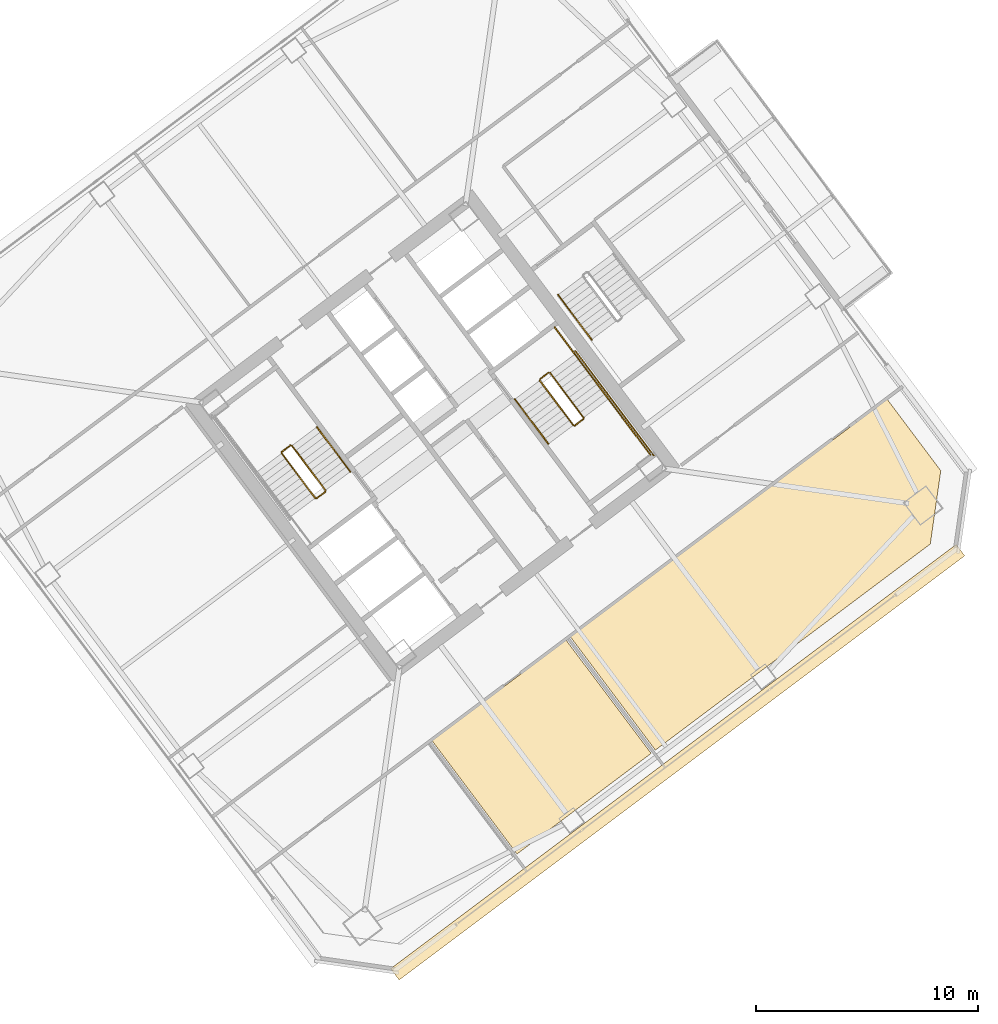
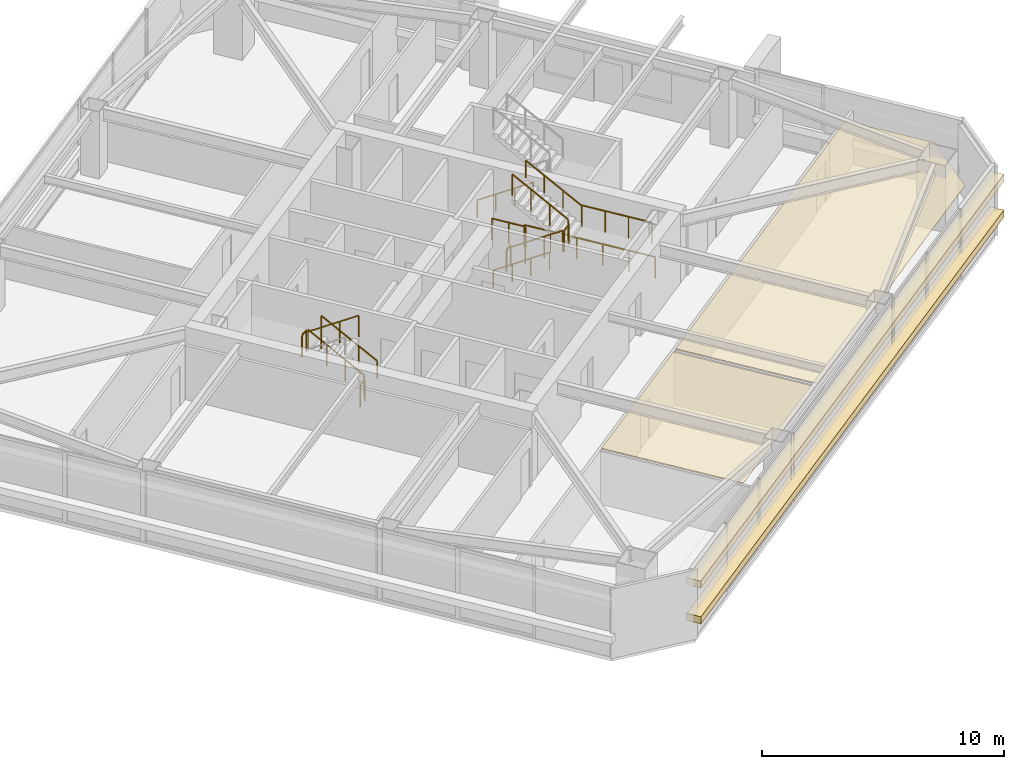
# One storey, part 42 of 44: 15 railings, 4 coverings.
"""IFC4 building model written with IfcOpenShell, lengths in metres."""

from ifc_helpers import new_model, si_unit, direction, frame, origin, origin_2d, place, context, subcontext, project, spatial, polyline, rectangle, outline, extrude, material, layer, layer_set, type_object, element, save


model = new_model("IFC4")

# Units and contexts
model_context = context("Model", 3, precision=1e-05, world=origin(), true_north=direction((0.0, 1.0)))
body_context = subcontext(model_context, "Body", "Model", "MODEL_VIEW")
ifc_project = project(units=[si_unit("LENGTHUNIT", "METRE"), si_unit("AREAUNIT", "SQUARE_METRE"), si_unit("VOLUMEUNIT", "CUBIC_METRE"), si_unit("PLANEANGLEUNIT", "RADIAN"), si_unit("MASSUNIT", "GRAM", prefix="KILO")], contexts=[model_context])

# Site, building, storey
site_placement = place(None, origin())
site = spatial("IfcSite", under=ifc_project, at=site_placement, CompositionType="ELEMENT")
building_placement = place(site_placement, origin())
building = spatial("IfcBuilding", under=site, at=building_placement, Name="Tashvorn Skyway Center", CompositionType="ELEMENT")
storey_placement = place(building_placement, frame((0.0, 0.0, 149.89990234375)))
storey = spatial("IfcBuildingStorey", under=building, at=storey_placement, Name="L40", CompositionType="ELEMENT", Elevation=149.89990234375)

# Coverings
ifc_material_1 = material(Name="Mineral-fibre acoustic ceiling tile on suspended grid")
ifc_layer_1 = layer(ifc_material_1, 0.02001953125)
ifc_layer_set_1 = layer_set([ifc_layer_1], Name="Mineral-fibre acoustic ceiling tile on suspended grid")
covering_type_1 = type_object("IfcCoveringType", Name="COV-CEIL-20", PredefinedType="CEILING", material=ifc_layer_set_1)
covering_1_placement = place(storey_placement, frame((0.0, 0.0, 2.703125)))
element("IfcCovering", 1, at=covering_1_placement, inside=storey, type_object=covering_type_1, Name="Tower 2 L40 Corporate Office Acoustic Ceiling", PredefinedType="CEILING", context=body_context, shape_type="SweptSolid", body=[
    extrude(outline(polyline([(113.969970703125, 18.239990234375), (120.01806640625, 22.77587890625), (123.85205078125, 17.6640625), (117.803955078125, 13.1279296875), (113.969970703125, 18.239990234375)])), origin(), (0.0, 0.0, 1.0), 0.02001953125),
])
covering_2_placement = place(storey_placement, frame((0.0, 0.0, 2.703125)))
element("IfcCovering", 2, at=covering_2_placement, inside=storey, type_object=covering_type_1, Name="Tower 2 L40 Corporate Office Acoustic Ceiling", PredefinedType="CEILING", context=body_context, shape_type="SweptSolid", body=[
    extrude(outline(polyline([(124.0439453125, 17.80810546875), (120.2099609375, 22.919921875), (134.498046875, 33.635986328125), (136.916015625, 30.412109375), (136.444091796875, 27.10791015625), (124.0439453125, 17.80810546875)])), origin(), (0.0, 0.0, 1.0), 0.02001953125),
])
ifc_material_2 = material(Name="Perforated ceramic-coated bronze aluminium solar screen", Category="aluminium")
ifc_layer_2 = layer(ifc_material_2, 0.85009765625)
ifc_layer_set_2 = layer_set([ifc_layer_2], Name="Perforated ceramic-coated bronze aluminium solar screen")
covering_type_2 = type_object("IfcCoveringType", Name="COV-SOLAR-BAND", PredefinedType="CLADDING", material=ifc_layer_set_2)
for number, where, z_axis, x_axis, name in (
    (3, (125.052001953125, 17.263916015625, 0.919921875), (0.0, 0.0, 1.0), (-0.799999996291, -0.600000004945, 0.0), "L40 Perforated Ceramic-Metal Solar Screen Louvre Band South 1"),
    (4, (125.052001953125, 17.263916015625, 2.72021484375), (0.0, 0.0, 1.0), (-0.799999996291, -0.600000004945, 0.0), "L40 Perforated Ceramic-Metal Solar Screen Louvre Band South 2"),
):
    element("IfcCovering", number, at=place(storey_placement, frame(where, z_axis=z_axis, x_axis=x_axis)), inside=storey, type_object=covering_type_2, Name=name, PredefinedType="CLADDING", context=body_context, shape_type="SweptSolid", body=[
        extrude(rectangle(XDim=31.8798828125, YDim=0.639892578125, at=origin_2d()), origin(), (0.0, 0.0, 1.0), 0.360107421875),
    ])

# Railings
ifc_material_3 = material(Name="Brushed stainless steel 316", Category="steel")
railing_type_1 = type_object("IfcRailingType", Name="RAIL-HAND-920", PredefinedType="HANDRAIL", material=ifc_material_3)
railing_1_placement = place(storey_placement, frame((110.2880859375, 30.365966796875, 0.177490234375)))
element("IfcRailing", 5, at=railing_1_placement, inside=storey, type_object=railing_type_1, Name="L40 ST-T2-1 stair handrail 1", PredefinedType="HANDRAIL", context=body_context, shape_type="SweptSolid", body=[
    extrude(rectangle(XDim=0.048095703125, YDim=0.048095703125, at=origin_2d()), frame((0.0, 0.0, 0.8759765625), z_axis=(-0.506779409603, 0.675651334276, 0.53541563714), x_axis=(-0.799976749893, -0.600030998891, 0.0)), (0.0, 0.0, 1.0), 2.98388671875),
    extrude(rectangle(XDim=0.0419921875, YDim=0.0419921875, at=origin_2d()), origin(), (0.0, 0.0, 1.0), 0.851806640625),
    extrude(rectangle(XDim=0.0419921875, YDim=0.0419921875, at=origin_2d()), frame((-0.504150390625, 0.672119140625, 0.532470703125)), (0.0, 0.0, 1.0), 0.851806640625),
    extrude(rectangle(XDim=0.0419921875, YDim=0.0419921875, at=origin_2d()), frame((-1.008056640625, 1.343994140625, 1.065185546875)), (0.0, 0.0, 1.0), 0.851806640625),
    extrude(rectangle(XDim=0.0419921875, YDim=0.0419921875, at=origin_2d()), frame((-1.51220703125, 2.01611328125, 1.59765625)), (0.0, 0.0, 1.0), 0.851806640625),
])
railing_2_placement = place(storey_placement, frame((117.7119140625, 33.634033203125, 0.177490234375)))
element("IfcRailing", 6, at=railing_2_placement, inside=storey, type_object=railing_type_1, Name="L40 ST-T2-2 stair handrail 1", PredefinedType="HANDRAIL", context=body_context, shape_type="SweptSolid", body=[
    extrude(rectangle(XDim=0.048095703125, YDim=0.048095703125, at=origin_2d()), frame((0.0, 0.0, 0.8759765625), z_axis=(0.506779409603, -0.675651334276, 0.53541563714), x_axis=(0.799976749893, 0.600030998891, 0.0)), (0.0, 0.0, 1.0), 2.98388671875),
    extrude(rectangle(XDim=0.0419921875, YDim=0.0419921875, at=origin_2d()), origin(), (0.0, 0.0, 1.0), 0.851806640625),
    extrude(rectangle(XDim=0.0419921875, YDim=0.0419921875, at=origin_2d()), frame((0.504150390625, -0.672119140625, 0.532470703125)), (0.0, 0.0, 1.0), 0.851806640625),
    extrude(rectangle(XDim=0.0419921875, YDim=0.0419921875, at=origin_2d()), frame((1.008056640625, -1.343994140625, 1.065185546875)), (0.0, 0.0, 1.0), 0.851806640625),
    extrude(rectangle(XDim=0.0419921875, YDim=0.0419921875, at=origin_2d()), frame((1.51220703125, -2.01611328125, 1.59765625)), (0.0, 0.0, 1.0), 0.851806640625),
])
railing_3_placement = place(storey_placement, frame((121.927978515625, 33.64599609375, 1.95263671875)))
element("IfcRailing", 7, at=railing_3_placement, inside=storey, type_object=railing_type_1, Name="L40 ST-T2-2 stair handrail 2", PredefinedType="HANDRAIL", context=body_context, shape_type="SweptSolid", body=[
    extrude(rectangle(XDim=0.048095703125, YDim=0.048095703125, at=origin_2d()), frame((0.0, 0.0, 0.8759765625), z_axis=(-0.506740800098, 0.675708949977, 0.535379469569), x_axis=(-0.800023250257, -0.599968998406, 0.0)), (0.0, 0.0, 1.0), 2.983642578125),
    extrude(rectangle(XDim=0.0419921875, YDim=0.0419921875, at=origin_2d()), origin(), (0.0, 0.0, 1.0), 0.851806640625),
    extrude(rectangle(XDim=0.0419921875, YDim=0.0419921875, at=origin_2d()), frame((-0.50390625, 0.672119140625, 0.532470703125)), (0.0, 0.0, 1.0), 0.851806640625),
    extrude(rectangle(XDim=0.0419921875, YDim=0.0419921875, at=origin_2d()), frame((-1.008056640625, 1.343994140625, 1.06494140625)), (0.0, 0.0, 1.0), 0.851806640625),
    extrude(rectangle(XDim=0.0419921875, YDim=0.0419921875, at=origin_2d()), frame((-1.511962890625, 2.01611328125, 1.597412109375)), (0.0, 0.0, 1.0), 0.851806640625),
])
railing_4_placement = place(storey_placement, frame((119.656005859375, 38.342041015625, 0.177490234375)))
element("IfcRailing", 8, at=railing_4_placement, inside=storey, type_object=railing_type_1, Name="L40 ST-T2-3 stair handrail 1", PredefinedType="HANDRAIL", context=body_context, shape_type="SweptSolid", body=[
    extrude(rectangle(XDim=0.048095703125, YDim=0.048095703125, at=origin_2d()), frame((0.0, 0.0, 0.8759765625), z_axis=(0.506718600913, -0.675679348675, 0.535437836974), x_axis=(0.800023250257, 0.599968998406, 0.0)), (0.0, 0.0, 1.0), 2.98388671875),
    extrude(rectangle(XDim=0.0419921875, YDim=0.0419921875, at=origin_2d()), origin(), (0.0, 0.0, 1.0), 0.851806640625),
    extrude(rectangle(XDim=0.0419921875, YDim=0.0419921875, at=origin_2d()), frame((0.50390625, -0.672119140625, 0.532470703125)), (0.0, 0.0, 1.0), 0.851806640625),
    extrude(rectangle(XDim=0.0419921875, YDim=0.0419921875, at=origin_2d()), frame((1.008056640625, -1.343994140625, 1.065185546875)), (0.0, 0.0, 1.0), 0.851806640625),
    extrude(rectangle(XDim=0.0419921875, YDim=0.0419921875, at=origin_2d()), frame((1.511962890625, -2.01611328125, 1.59765625)), (0.0, 0.0, 1.0), 0.851806640625),
])
ifc_material_4 = material(Name="Painted galvanized steel S355", Category="steel")
railing_type_2 = type_object("IfcRailingType", Name="RAIL-STGUARD-1100", PredefinedType="GUARDRAIL", material=ifc_material_4)
railing_5_placement = place(storey_placement, frame((109.16796875, 29.52587890625, 0.177490234375)))
element("IfcRailing", 9, at=railing_5_placement, inside=storey, type_object=railing_type_2, Name="L40 ST-T2-1 stair guard 1", PredefinedType="GUARDRAIL", context=body_context, shape_type="SweptSolid", body=[
    extrude(rectangle(XDim=0.048095703125, YDim=0.048095703125, at=origin_2d()), frame((0.0, 0.0, 1.076171875), z_axis=(-0.506718600913, 0.675679348675, 0.535437836974), x_axis=(-0.800023250257, -0.599968998406, 0.0)), (0.0, 0.0, 1.0), 2.98388671875),
    extrude(rectangle(XDim=0.0419921875, YDim=0.0419921875, at=origin_2d()), origin(), (0.0, 0.0, 1.0), 1.052001953125),
    extrude(rectangle(XDim=0.0419921875, YDim=0.0419921875, at=origin_2d()), frame((-0.50390625, 0.672119140625, 0.532470703125)), (0.0, 0.0, 1.0), 1.052001953125),
    extrude(rectangle(XDim=0.0419921875, YDim=0.0419921875, at=origin_2d()), frame((-1.008056640625, 1.343994140625, 1.065185546875)), (0.0, 0.0, 1.0), 1.052001953125),
    extrude(rectangle(XDim=0.0419921875, YDim=0.0419921875, at=origin_2d()), frame((-1.511962890625, 2.01611328125, 1.59765625)), (0.0, 0.0, 1.0), 1.052001953125),
])
railing_6_placement = place(storey_placement, frame((107.5859375, 31.552001953125, 1.775146484375)))
element("IfcRailing", 10, at=railing_6_placement, inside=storey, type_object=railing_type_2, Name="L40 ST-T2-1 stair guard 2", PredefinedType="GUARDRAIL", context=body_context, shape_type="SweptSolid", body=[
    extrude(rectangle(XDim=0.048095703125, YDim=0.048095703125, at=origin_2d()), frame((0.0, 0.0, 1.076171875), z_axis=(-0.799938970639, -0.600081363861, 0.0), x_axis=(0.600081363861, -0.799938970639, 0.0)), (0.0, 0.0, 1.0), 0.47998046875),
    extrude(rectangle(XDim=0.0419921875, YDim=0.0419921875, at=origin_2d()), origin(), (0.0, 0.0, 1.0), 1.052001953125),
    extrude(rectangle(XDim=0.0419921875, YDim=0.0419921875, at=origin_2d()), frame((-0.384033203125, -0.2880859375, 0.0)), (0.0, 0.0, 1.0), 1.052001953125),
])
railing_7_placement = place(storey_placement, frame((107.19189453125, 31.194091796875, 1.95263671875)))
element("IfcRailing", 11, at=railing_7_placement, inside=storey, type_object=railing_type_2, Name="L40 ST-T2-1 stair guard 4", PredefinedType="GUARDRAIL", context=body_context, shape_type="SweptSolid", body=[
    extrude(rectangle(XDim=0.048095703125, YDim=0.048095703125, at=origin_2d()), frame((0.0, 0.0, 1.076171875), z_axis=(0.506801609611, -0.675680931896, 0.535357270211), x_axis=(0.799976749893, 0.600030998891, 0.0)), (0.0, 0.0, 1.0), 2.98388671875),
    extrude(rectangle(XDim=0.0419921875, YDim=0.0419921875, at=origin_2d()), origin(), (0.0, 0.0, 1.0), 1.052001953125),
    extrude(rectangle(XDim=0.0419921875, YDim=0.0419921875, at=origin_2d()), frame((0.504150390625, -0.672119140625, 0.532470703125)), (0.0, 0.0, 1.0), 1.052001953125),
    extrude(rectangle(XDim=0.0419921875, YDim=0.0419921875, at=origin_2d()), frame((1.008056640625, -1.343994140625, 1.06494140625)), (0.0, 0.0, 1.0), 1.052001953125),
    extrude(rectangle(XDim=0.0419921875, YDim=0.0419921875, at=origin_2d()), frame((1.51220703125, -2.01611328125, 1.597412109375)), (0.0, 0.0, 1.0), 1.052001953125),
])
railing_8_placement = place(storey_placement, frame((109.157958984375, 29.4560546875, 0.0)))
element("IfcRailing", 12, at=railing_8_placement, inside=storey, type_object=railing_type_2, Name="L40 ST-T2-1 stair guard 5", PredefinedType="GUARDRAIL", context=body_context, shape_type="SweptSolid", body=[
    extrude(rectangle(XDim=0.048095703125, YDim=0.048095703125, at=origin_2d()), frame((0.0, 0.0, 1.076171875), z_axis=(-0.799938970639, -0.600081363861, 0.0), x_axis=(0.600081363861, -0.799938970639, 0.0)), (0.0, 0.0, 1.0), 0.47998046875),
    extrude(rectangle(XDim=0.0419921875, YDim=0.0419921875, at=origin_2d()), origin(), (0.0, 0.0, 1.0), 1.052001953125),
    extrude(rectangle(XDim=0.0419921875, YDim=0.0419921875, at=origin_2d()), frame((-0.384033203125, -0.2880859375, 0.0)), (0.0, 0.0, 1.0), 1.052001953125),
])
railing_9_placement = place(storey_placement, frame((118.83203125, 34.47412109375, 0.177490234375)))
element("IfcRailing", 13, at=railing_9_placement, inside=storey, type_object=railing_type_2, Name="L40 ST-T2-2 stair guard 1", PredefinedType="GUARDRAIL", context=body_context, shape_type="SweptSolid", body=[
    extrude(rectangle(XDim=0.048095703125, YDim=0.048095703125, at=origin_2d()), frame((0.0, 0.0, 1.076171875), z_axis=(0.506718600913, -0.675679348675, 0.535437836974), x_axis=(0.800023250257, 0.599968998406, 0.0)), (0.0, 0.0, 1.0), 2.98388671875),
    extrude(rectangle(XDim=0.0419921875, YDim=0.0419921875, at=origin_2d()), origin(), (0.0, 0.0, 1.0), 1.052001953125),
    extrude(rectangle(XDim=0.0419921875, YDim=0.0419921875, at=origin_2d()), frame((0.50390625, -0.672119140625, 0.532470703125)), (0.0, 0.0, 1.0), 1.052001953125),
    extrude(rectangle(XDim=0.0419921875, YDim=0.0419921875, at=origin_2d()), frame((1.008056640625, -1.343994140625, 1.065185546875)), (0.0, 0.0, 1.0), 1.052001953125),
    extrude(rectangle(XDim=0.0419921875, YDim=0.0419921875, at=origin_2d()), frame((1.511962890625, -2.01611328125, 1.59765625)), (0.0, 0.0, 1.0), 1.052001953125),
])
railing_10_placement = place(storey_placement, frame((120.4140625, 32.447998046875, 1.775146484375)))
element("IfcRailing", 14, at=railing_10_placement, inside=storey, type_object=railing_type_2, Name="L40 ST-T2-2 stair guard 2", PredefinedType="GUARDRAIL", context=body_context, shape_type="SweptSolid", body=[
    extrude(rectangle(XDim=0.048095703125, YDim=0.048095703125, at=origin_2d()), frame((0.0, 0.0, 1.076171875), z_axis=(0.799938970639, 0.600081363861, 0.0), x_axis=(-0.600081363861, 0.799938970639, 0.0)), (0.0, 0.0, 1.0), 0.47998046875),
    extrude(rectangle(XDim=0.0419921875, YDim=0.0419921875, at=origin_2d()), origin(), (0.0, 0.0, 1.0), 1.052001953125),
    extrude(rectangle(XDim=0.0419921875, YDim=0.0419921875, at=origin_2d()), frame((0.384033203125, 0.2880859375, 0.0)), (0.0, 0.0, 1.0), 1.052001953125),
])
railing_11_placement = place(storey_placement, frame((121.927978515625, 33.64599609375, 1.775146484375)))
element("IfcRailing", 15, at=railing_11_placement, inside=storey, type_object=railing_type_2, Name="L40 ST-T2-2 stair guard 3", PredefinedType="GUARDRAIL", context=body_context, shape_type="SweptSolid", body=[
    extrude(rectangle(XDim=0.048095703125, YDim=0.048095703125, at=origin_2d()), frame((0.0, 0.0, 1.076171875), z_axis=(0.599987638607, -0.800009270896, 0.0), x_axis=(0.800009270896, 0.599987638607, 0.0)), (0.0, 0.0, 1.0), 3.16015625),
    extrude(rectangle(XDim=0.0419921875, YDim=0.0419921875, at=origin_2d()), origin(), (0.0, 0.0, 1.0), 1.052001953125),
    extrude(rectangle(XDim=0.0419921875, YDim=0.0419921875, at=origin_2d()), frame((0.632080078125, -0.8427734375, 0.0)), (0.0, 0.0, 1.0), 1.052001953125),
    extrude(rectangle(XDim=0.0419921875, YDim=0.0419921875, at=origin_2d()), frame((1.263916015625, -1.685302734375, 0.0)), (0.0, 0.0, 1.0), 1.052001953125),
    extrude(rectangle(XDim=0.0419921875, YDim=0.0419921875, at=origin_2d()), frame((1.89599609375, -2.528076171875, 0.0)), (0.0, 0.0, 1.0), 1.052001953125),
])
railing_12_placement = place(storey_placement, frame((120.80810546875, 32.805908203125, 1.95263671875)))
element("IfcRailing", 16, at=railing_12_placement, inside=storey, type_object=railing_type_2, Name="L40 ST-T2-2 stair guard 4", PredefinedType="GUARDRAIL", context=body_context, shape_type="SweptSolid", body=[
    extrude(rectangle(XDim=0.048095703125, YDim=0.048095703125, at=origin_2d()), frame((0.0, 0.0, 1.076171875), z_axis=(-0.506801609611, 0.675680931896, 0.535357270211), x_axis=(-0.799976749893, -0.600030998891, 0.0)), (0.0, 0.0, 1.0), 2.98388671875),
    extrude(rectangle(XDim=0.0419921875, YDim=0.0419921875, at=origin_2d()), origin(), (0.0, 0.0, 1.0), 1.052001953125),
    extrude(rectangle(XDim=0.0419921875, YDim=0.0419921875, at=origin_2d()), frame((-0.504150390625, 0.672119140625, 0.532470703125)), (0.0, 0.0, 1.0), 1.052001953125),
    extrude(rectangle(XDim=0.0419921875, YDim=0.0419921875, at=origin_2d()), frame((-1.008056640625, 1.343994140625, 1.06494140625)), (0.0, 0.0, 1.0), 1.052001953125),
    extrude(rectangle(XDim=0.0419921875, YDim=0.0419921875, at=origin_2d()), frame((-1.51220703125, 2.01611328125, 1.597412109375)), (0.0, 0.0, 1.0), 1.052001953125),
])
railing_13_placement = place(storey_placement, frame((118.842041015625, 34.5439453125, 0.0)))
element("IfcRailing", 17, at=railing_13_placement, inside=storey, type_object=railing_type_2, Name="L40 ST-T2-2 stair guard 5", PredefinedType="GUARDRAIL", context=body_context, shape_type="SweptSolid", body=[
    extrude(rectangle(XDim=0.048095703125, YDim=0.048095703125, at=origin_2d()), frame((0.0, 0.0, 1.076171875), z_axis=(0.799938970639, 0.600081363861, 0.0), x_axis=(-0.600081363861, 0.799938970639, 0.0)), (0.0, 0.0, 1.0), 0.47998046875),
    extrude(rectangle(XDim=0.0419921875, YDim=0.0419921875, at=origin_2d()), origin(), (0.0, 0.0, 1.0), 1.052001953125),
    extrude(rectangle(XDim=0.0419921875, YDim=0.0419921875, at=origin_2d()), frame((0.384033203125, 0.2880859375, 0.0)), (0.0, 0.0, 1.0), 1.052001953125),
])
railing_14_placement = place(storey_placement, frame((119.50390625, 36.8779296875, 0.0)))
element("IfcRailing", 18, at=railing_14_placement, inside=storey, type_object=railing_type_2, Name="L40 ST-T2-2 stair guard 6", PredefinedType="GUARDRAIL", context=body_context, shape_type="SweptSolid", body=[
    extrude(rectangle(XDim=0.048095703125, YDim=0.048095703125, at=origin_2d()), frame((0.0, 0.0, 1.076171875), z_axis=(0.600102796382, -0.799922892393, 0.0), x_axis=(0.799922892393, 0.600102796382, 0.0)), (0.0, 0.0, 1.0), 1.52001953125),
    extrude(rectangle(XDim=0.0419921875, YDim=0.0419921875, at=origin_2d()), origin(), (0.0, 0.0, 1.0), 1.052001953125),
    extrude(rectangle(XDim=0.0419921875, YDim=0.0419921875, at=origin_2d()), frame((0.4560546875, -0.60791015625, 0.0)), (0.0, 0.0, 1.0), 1.052001953125),
    extrude(rectangle(XDim=0.0419921875, YDim=0.0419921875, at=origin_2d()), frame((0.912109375, -1.2158203125, 0.0)), (0.0, 0.0, 1.0), 1.052001953125),
])
railing_15_placement = place(storey_placement, frame((120.43603515625, 35.802001953125, 0.0)))
element("IfcRailing", 19, at=railing_15_placement, inside=storey, type_object=railing_type_2, Name="L40 ST-T2-2 stair guard 7", PredefinedType="GUARDRAIL", context=body_context, shape_type="SweptSolid", body=[
    extrude(rectangle(XDim=0.048095703125, YDim=0.048095703125, at=origin_2d()), frame((0.0, 0.0, 1.076171875), z_axis=(0.6, -0.8, 0.0), x_axis=(0.8, 0.6, 0.0)), (0.0, 0.0, 1.0), 5.880126953125),
    extrude(rectangle(XDim=0.0419921875, YDim=0.0419921875, at=origin_2d()), origin(), (0.0, 0.0, 1.0), 1.052001953125),
    extrude(rectangle(XDim=0.0419921875, YDim=0.0419921875, at=origin_2d()), frame((0.70556640625, -0.94091796875, 0.0)), (0.0, 0.0, 1.0), 1.052001953125),
    extrude(rectangle(XDim=0.0419921875, YDim=0.0419921875, at=origin_2d()), frame((1.4111328125, -1.881591796875, 0.0)), (0.0, 0.0, 1.0), 1.052001953125),
    extrude(rectangle(XDim=0.0419921875, YDim=0.0419921875, at=origin_2d()), frame((2.116943359375, -2.822509765625, 0.0)), (0.0, 0.0, 1.0), 1.052001953125),
    extrude(rectangle(XDim=0.0419921875, YDim=0.0419921875, at=origin_2d()), frame((2.822509765625, -3.76318359375, 0.0)), (0.0, 0.0, 1.0), 1.052001953125),
    extrude(rectangle(XDim=0.0419921875, YDim=0.0419921875, at=origin_2d()), frame((3.528076171875, -4.7041015625, 0.0)), (0.0, 0.0, 1.0), 1.052001953125),
])

save(model, "model.ifc")
